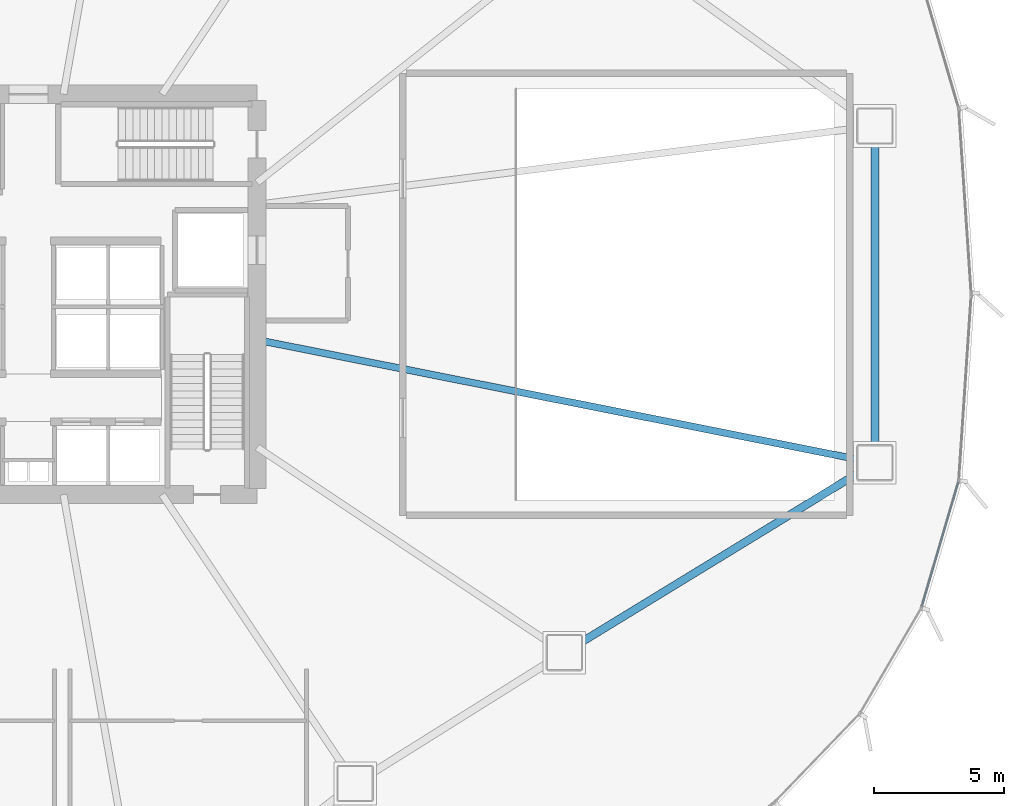
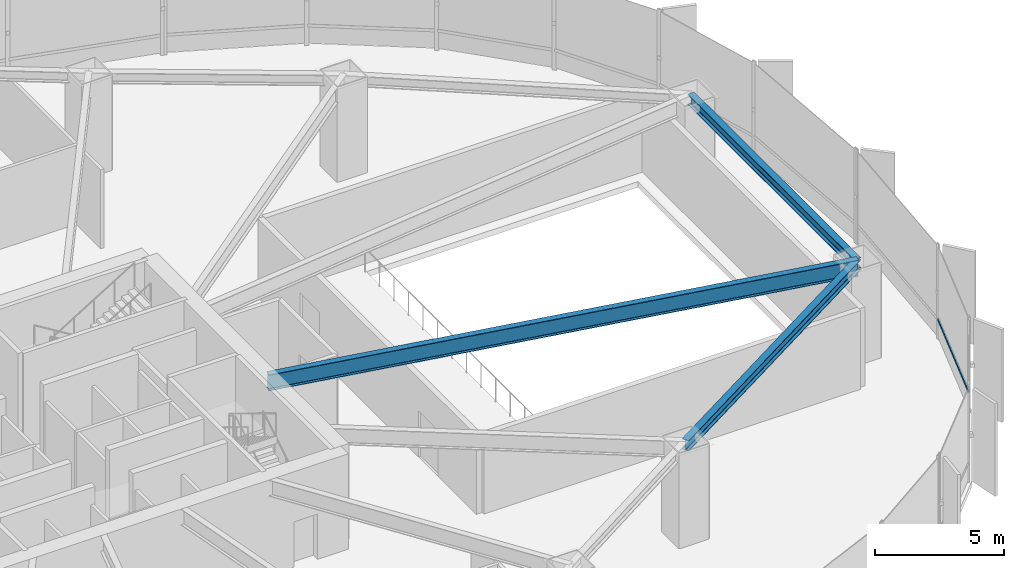
# One storey, part 18 of 34: 3 beams, 1 member, 1 element without a shape of its own.
"""IFC4 building model written with IfcOpenShell, lengths in metres."""

from ifc_helpers import new_model, si_unit, direction, frame, origin, origin_2d, place, context, subcontext, project, spatial, hollow_rectangle, i_section, extrude, source, transform, mapped, material, layer, layer_set, material_profile, profile_set, type_object, element, aggregate, save


model = new_model("IFC4")

# Units and contexts
model_context = context("Model", 3, precision=1e-05, world=origin(), true_north=direction((0.0, 1.0)))
body_context = subcontext(model_context, "Body", "Model", "MODEL_VIEW")
ifc_project = project(units=[si_unit("LENGTHUNIT", "METRE"), si_unit("AREAUNIT", "SQUARE_METRE"), si_unit("VOLUMEUNIT", "CUBIC_METRE"), si_unit("PLANEANGLEUNIT", "RADIAN"), si_unit("MASSUNIT", "GRAM", prefix="KILO"), si_unit("THERMODYNAMICTEMPERATUREUNIT", "KELVIN")], contexts=[model_context])

# Site, building, storey
site_placement = place(None, origin())
site = spatial("IfcSite", under=ifc_project, at=site_placement, CompositionType="ELEMENT")
building_placement = place(site_placement, origin())
building = spatial("IfcBuilding", under=site, at=building_placement, Name="Kethvar Cultural Tower", CompositionType="ELEMENT")
storey_placement = place(building_placement, frame((0.0, 0.0, 14.800048828125)))
storey = spatial("IfcBuildingStorey", under=building, at=storey_placement, Name="L03", CompositionType="ELEMENT", Elevation=14.800048828125)

# Beams
ifc_material_1 = material(Name="Steel S355J2", Category="steel")
ifc_material_profile_1 = material_profile(ifc_material_1, i_section(OverallWidth=0.300048828125, OverallDepth=0.5, WebThickness=0.014404296875, FlangeThickness=0.028076171875, FilletRadius=0.027099609375, at=origin_2d()), Name="Steel S355J2 — HEB500")
ifc_profile_set_1 = profile_set([ifc_material_profile_1], Name="Steel S355J2 — HEB500")
beam_type_1 = type_object("IfcBeamType", Name="BM-SP500", PredefinedType="SPANDREL", material=ifc_profile_set_1)
shared_shape_1 = source(origin(), body_context, "Body", "SweptSolid", [
    extrude(i_section(OverallWidth=0.300048828125, OverallDepth=0.5, WebThickness=0.014404296875, FlangeThickness=0.028076171875, FilletRadius=0.027099609375, at=origin_2d()), origin(), (0.0, 0.0, 1.0), 13.997802734375),
])
beam_1_placement = place(storey_placement, frame((67.41845703125, 14.023193359375, 4.27783203125), z_axis=(0.853252083851, 0.521498687826, 0.0), x_axis=(-0.521498687826, 0.853252083851, 0.0)))
element("IfcBeam", 1, at=beam_1_placement, inside=storey, type_object=beam_type_1, Name="L03 Podium Ring Beam 15", PredefinedType="SPANDREL", context=body_context, shape_type="MappedRepresentation", body=[
    mapped(shared_shape_1, transform((0.0, 0.0, 0.0), scale=1.0)),
])
shared_shape_2 = source(origin(), body_context, "Body", "SweptSolid", [
    extrude(i_section(OverallWidth=0.300048828125, OverallDepth=0.5, WebThickness=0.014404296875, FlangeThickness=0.028076171875, FilletRadius=0.027099609375, at=origin_2d()), origin(), (0.0, 0.0, 1.0), 12.9541015625),
])
beam_2_placement = place(storey_placement, frame((79.362060546875, 21.322998046875, 4.27783203125), z_axis=(0.0, 1.0, 0.0), x_axis=(-1.0, 0.0, 0.0)))
element("IfcBeam", 2, at=beam_2_placement, inside=storey, type_object=beam_type_1, Name="L03 Podium Ring Beam 16", PredefinedType="SPANDREL", context=body_context, shape_type="MappedRepresentation", body=[
    mapped(shared_shape_2, transform((0.0, 0.0, 0.0), scale=1.0)),
])
ifc_material_profile_2 = material_profile(ifc_material_1, i_section(OverallWidth=0.26708984375, OverallDepth=0.761962890625, WebThickness=0.014404296875, FlangeThickness=0.021484375, FilletRadius=0.01708984375, at=origin_2d()), Name="Steel S355J2 — IPE750x173")
ifc_profile_set_2 = profile_set([ifc_material_profile_2], Name="Steel S355J2 — IPE750x173")
beam_type_2 = type_object("IfcBeamType", Name="BM-IPE750", PredefinedType="BEAM", material=ifc_profile_set_2)
shared_shape_3 = source(origin(), body_context, "Body", "SweptSolid", [
    extrude(i_section(OverallWidth=0.26708984375, OverallDepth=0.761962890625, WebThickness=0.014404296875, FlangeThickness=0.021484375, FilletRadius=0.01708984375, at=origin_2d()), origin(), (0.0, 0.0, 1.0), 24.2275390625),
])
beam_3_placement = place(storey_placement, frame((55.60009765625, 26.049560546875, 4.14697265625), z_axis=(0.980785168194, -0.195090886131, 0.0), x_axis=(0.195090886131, 0.980785168194, 0.0)))
element("IfcBeam", 3, at=beam_3_placement, inside=storey, type_object=beam_type_2, Name="L03 Podium Radial Girder 16", PredefinedType="BEAM", context=body_context, shape_type="MappedRepresentation", body=[
    mapped(shared_shape_3, transform((0.0, 0.0, 0.0), scale=1.0)),
])

# Curtain wall, member
ifc_material_2 = material(Name="Aluminium 6063-T6", Category="aluminium")
ifc_layer = layer(ifc_material_2, 0.179931640625, Name="Aluminium 6063-T6", Category="aluminium")
ifc_layer_set = layer_set([ifc_layer], Name="Aluminium 6063-T6 (180 mm)")
curtain_wall_type = type_object("IfcCurtainWallType", Name="CW-SYS-01-POD", PredefinedType="NOTDEFINED", material=ifc_layer_set)
curtain_wall_placement = place(storey_placement, origin())
curtain_wall = element("IfcCurtainWall", 4, at=curtain_wall_placement, inside=storey, type_object=curtain_wall_type, Name="L03 Curtain Wall Run 06", PredefinedType="NOTDEFINED")
ifc_material_profile_3 = material_profile(ifc_material_2, hollow_rectangle(XDim=0.06005859375, YDim=0.139892578125, WallThickness=0.0048828125, at=origin_2d()), Name="Aluminium 6063-T6 — RHS140x60x5")
ifc_profile_set_3 = profile_set([ifc_material_profile_3], Name="Aluminium 6063-T6 — RHS140x60x5")
member_type = type_object("IfcMemberType", Name="CW-SYS-01-POD-TRN", PredefinedType="USERDEFINED", material=ifc_profile_set_3)
shared_shape_4 = source(origin(), body_context, "Body", "SweptSolid", [
    extrude(hollow_rectangle(XDim=0.06005859375, YDim=0.139892578125, WallThickness=0.0048828125, at=origin_2d()), origin(), (0.0, 0.0, 1.0), 5.0126953125),
])
member_placement = place(storey_placement, frame((81.16552734375, 15.796630859375, 0.949951171875), z_axis=(0.281757580899, 0.959485625534, 0.0), x_axis=(-0.959485625534, 0.281757580899, 0.0)))
member = element("IfcMember", 5, at=member_placement, type_object=member_type, Name="CW-L03-R06 Transom 3", ObjectType="TRANSOM", PredefinedType="USERDEFINED", context=body_context, shape_type="MappedRepresentation", body=[
    mapped(shared_shape_4, transform((0.0, 0.0, 0.0), scale=1.0)),
])
aggregate(curtain_wall, [member])

save(model, "model.ifc")
